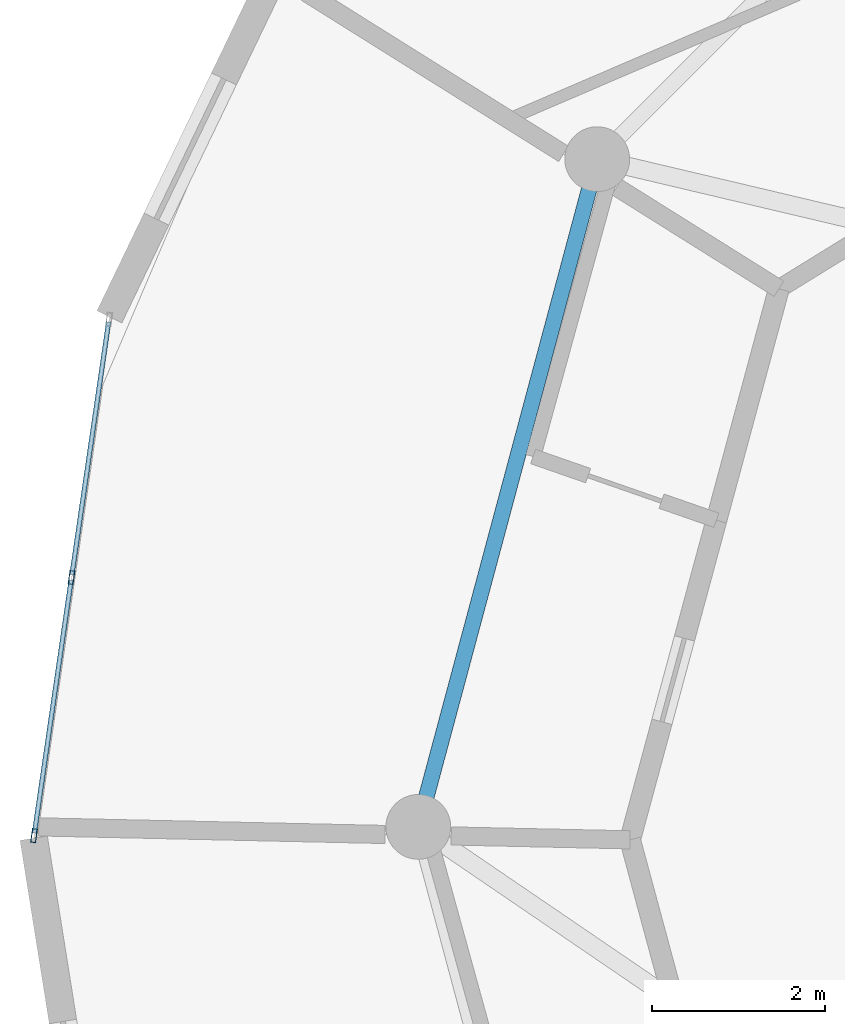
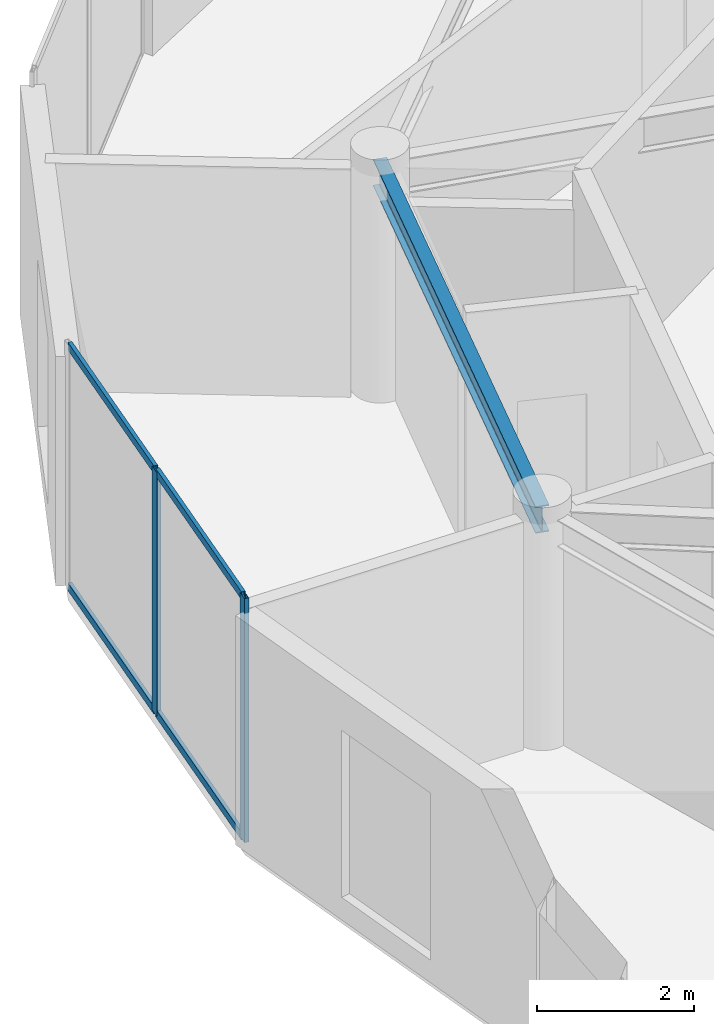
# One storey, part 7 of 22: 6 members, 1 beam, 1 element without a shape of its own.
"""IFC4 building model written with IfcOpenShell, lengths in metres."""

from ifc_helpers import new_model, si_unit, direction, frame, origin, origin_2d, place, context, subcontext, project, spatial, hollow_rectangle, i_section, extrude, source, transform, mapped, material, layer, layer_set, material_profile, profile_set, type_object, element, aggregate, save


model = new_model("IFC4")

# Units and contexts
model_context = context("Model", 3, precision=1e-05, world=origin(), true_north=direction((0.0, 1.0)))
body_context = subcontext(model_context, "Body", "Model", "MODEL_VIEW")
ifc_project = project(units=[si_unit("LENGTHUNIT", "METRE"), si_unit("AREAUNIT", "SQUARE_METRE"), si_unit("VOLUMEUNIT", "CUBIC_METRE"), si_unit("PLANEANGLEUNIT", "RADIAN"), si_unit("MASSUNIT", "GRAM", prefix="KILO")], contexts=[model_context])

# Site, building, storey
site_placement = place(None, origin())
site = spatial("IfcSite", under=ifc_project, at=site_placement, CompositionType="ELEMENT")
building_placement = place(site_placement, origin())
building = spatial("IfcBuilding", under=site, at=building_placement, Name="Solvirekh Grand Hotel", CompositionType="ELEMENT")
storey_placement = place(building_placement, frame((0.0, 0.0, 278.199951171875)))
storey = spatial("IfcBuildingStorey", under=building, at=storey_placement, Name="L72", CompositionType="ELEMENT", Elevation=278.199951171875)

# Beam
ifc_material_1 = material(Name="Steel S355", Category="steel")
ifc_material_profile_1 = material_profile(ifc_material_1, i_section(OverallWidth=0.180908203125, OverallDepth=0.4169921875, WebThickness=0.010009765625, FlangeThickness=0.01611328125, FilletRadius=0.011962890625, at=origin_2d()), Name="W410X85")
ifc_profile_set_1 = profile_set([ifc_material_profile_1], Name="Steel S355")
beam_type = type_object("IfcBeamType", Name="Spandrel_Ring_W410", PredefinedType="SPANDREL", material=ifc_profile_set_1)
beam_placement = place(storey_placement, frame((-13.3798828125, 7.72509765625, 3.361083984375), z_axis=(-0.258834757072, -0.965921616143, 0.0), x_axis=(0.965921616143, -0.258834757072, 0.0)))
element("IfcBeam", 1, at=beam_placement, inside=storey, type_object=beam_type, Name="L72 perimeter spandrel beam 6", PredefinedType="SPANDREL", context=body_context, shape_type="SweptSolid", body=[
    extrude(i_section(OverallWidth=0.180908203125, OverallDepth=0.4169921875, WebThickness=0.010009765625, FlangeThickness=0.01611328125, FilletRadius=0.011962890625, at=origin_2d()), origin(), (0.0, 0.0, 1.0), 7.99755859375),
])

# Curtain wall, members
ifc_material_2 = material(Name="Anodized Bronze Aluminium 6063-T6", Category="aluminium")
ifc_layer = layer(ifc_material_2, 0.159912109375)
ifc_layer_set = layer_set([ifc_layer], Name="Anodized Bronze Aluminium 6063-T6")
curtain_wall_type = type_object("IfcCurtainWallType", Name="CW_Sys4_HighZoneFlushBronzeCW", PredefinedType="NOTDEFINED", material=ifc_layer_set)
curtain_wall_placement = place(storey_placement, origin())
curtain_wall = element("IfcCurtainWall", 2, at=curtain_wall_placement, inside=storey, type_object=curtain_wall_type, Name="L72 unitised bronze-glass curtain wall CW-L72-C15", PredefinedType="NOTDEFINED")
ifc_material_profile_2 = material_profile(ifc_material_2, hollow_rectangle(XDim=0.06005859375, YDim=0.159912109375, WallThickness=0.0048828125, at=origin_2d()), Name="ALU RHS 160X60X5")
ifc_profile_set_2 = profile_set([ifc_material_profile_2], Name="Anodized Bronze Aluminium 6063-T6")
member_type_1 = type_object("IfcMemberType", Name="CWMullion_Sys4", PredefinedType="MULLION", material=ifc_profile_set_2)
shared_shape_1 = source(origin(), body_context, "Body", "SweptSolid", [
    extrude(hollow_rectangle(XDim=0.06005859375, YDim=0.159912109375, WallThickness=0.0048828125, at=origin_2d()), origin(), (0.0, 0.0, 1.0), 3.800048828125),
])
member_1_placement = place(storey_placement, frame((-19.4619140625, 2.885009765625, 0.0), z_axis=(0.0, 0.0, 1.0), x_axis=(0.98961870618, -0.143717835977, 0.0)))
member_1 = element("IfcMember", 3, at=member_1_placement, type_object=member_type_1, Name="U04 mullion 2", PredefinedType="MULLION", context=body_context, shape_type="MappedRepresentation", body=[
    mapped(shared_shape_1, transform((0.0, 0.0, 0.0), x_axis=(1.0, 0.0, 0.0), y_axis=(0.0, 1.0, 0.0), z_axis=(0.0, 0.0, 1.0), scale=1.0)),
])
member_2_placement = place(storey_placement, frame((-19.895751953125, -0.101318359375, 0.0), z_axis=(0.0, 0.0, 1.0), x_axis=(0.98961870618, -0.143717835977, 0.0)))
member_2 = element("IfcMember", 4, at=member_2_placement, type_object=member_type_1, Name="U04 mullion 3", PredefinedType="MULLION", context=body_context, shape_type="MappedRepresentation", body=[
    mapped(shared_shape_1, transform((0.0, 0.0, 0.0), x_axis=(1.0, 0.0, 0.0), y_axis=(0.0, 1.0, 0.0), z_axis=(0.0, 0.0, 1.0), scale=1.0)),
])
ifc_material_profile_3 = material_profile(ifc_material_2, hollow_rectangle(XDim=0.054931640625, YDim=0.1201171875, WallThickness=0.00390625, at=origin_2d()), Name="ALU RHS 120X55X4")
ifc_profile_set_3 = profile_set([ifc_material_profile_3], Name="Anodized Bronze Aluminium 6063-T6")
member_type_2 = type_object("IfcMemberType", Name="CWTransom_Sys4", PredefinedType="USERDEFINED", material=ifc_profile_set_3)
shared_shape_2 = source(origin(), body_context, "Body", "SweptSolid", [
    extrude(hollow_rectangle(XDim=0.054931640625, YDim=0.1201171875, WallThickness=0.00390625, at=origin_2d()), origin(), (0.0, 0.0, 1.0), 2.95751953125),
])
member_3_placement = place(storey_placement, frame((-19.03271484375, 5.841552734375, 0.027587890625), z_axis=(-0.143720838203, -0.989618270176, 0.0), x_axis=(0.989618270176, -0.143720838203, 0.0)))
member_3 = element("IfcMember", 5, at=member_3_placement, type_object=member_type_2, Name="U04 transom 1.1", ObjectType="TRANSOM", PredefinedType="USERDEFINED", context=body_context, shape_type="MappedRepresentation", body=[
    mapped(shared_shape_2, transform((0.0, 0.0, 0.0), x_axis=(1.0, 0.0, 0.0), y_axis=(0.0, 1.0, 0.0), z_axis=(0.0, 0.0, 1.0), scale=1.0)),
])
member_4_placement = place(storey_placement, frame((-19.03271484375, 5.841552734375, 3.7724609375), z_axis=(-0.143720838203, -0.989618270176, 0.0), x_axis=(0.989618270176, -0.143720838203, 0.0)))
member_4 = element("IfcMember", 6, at=member_4_placement, type_object=member_type_2, Name="U04 transom 1.2", ObjectType="TRANSOM", PredefinedType="USERDEFINED", context=body_context, shape_type="MappedRepresentation", body=[
    mapped(shared_shape_2, transform((0.0, 0.0, 0.0), x_axis=(1.0, 0.0, 0.0), y_axis=(0.0, 1.0, 0.0), z_axis=(0.0, 0.0, 1.0), scale=1.0)),
])
member_5_placement = place(storey_placement, frame((-19.46630859375, 2.855224609375, 0.027587890625), z_axis=(-0.143720838203, -0.989618270176, 0.0), x_axis=(0.989618270176, -0.143720838203, 0.0)))
member_5 = element("IfcMember", 7, at=member_5_placement, type_object=member_type_2, Name="U04 transom 2.1", ObjectType="TRANSOM", PredefinedType="USERDEFINED", context=body_context, shape_type="MappedRepresentation", body=[
    mapped(shared_shape_2, transform((0.0, 0.0, 0.0), x_axis=(1.0, 0.0, 0.0), y_axis=(0.0, 1.0, 0.0), z_axis=(0.0, 0.0, 1.0), scale=1.0)),
])
member_6_placement = place(storey_placement, frame((-19.46630859375, 2.855224609375, 3.7724609375), z_axis=(-0.143720838203, -0.989618270176, 0.0), x_axis=(0.989618270176, -0.143720838203, 0.0)))
member_6 = element("IfcMember", 8, at=member_6_placement, type_object=member_type_2, Name="U04 transom 2.2", ObjectType="TRANSOM", PredefinedType="USERDEFINED", context=body_context, shape_type="MappedRepresentation", body=[
    mapped(shared_shape_2, transform((0.0, 0.0, 0.0), x_axis=(1.0, 0.0, 0.0), y_axis=(0.0, 1.0, 0.0), z_axis=(0.0, 0.0, 1.0), scale=1.0)),
])
aggregate(curtain_wall, [member_1, member_2, member_3, member_4, member_5, member_6])

save(model, "model.ifc")
